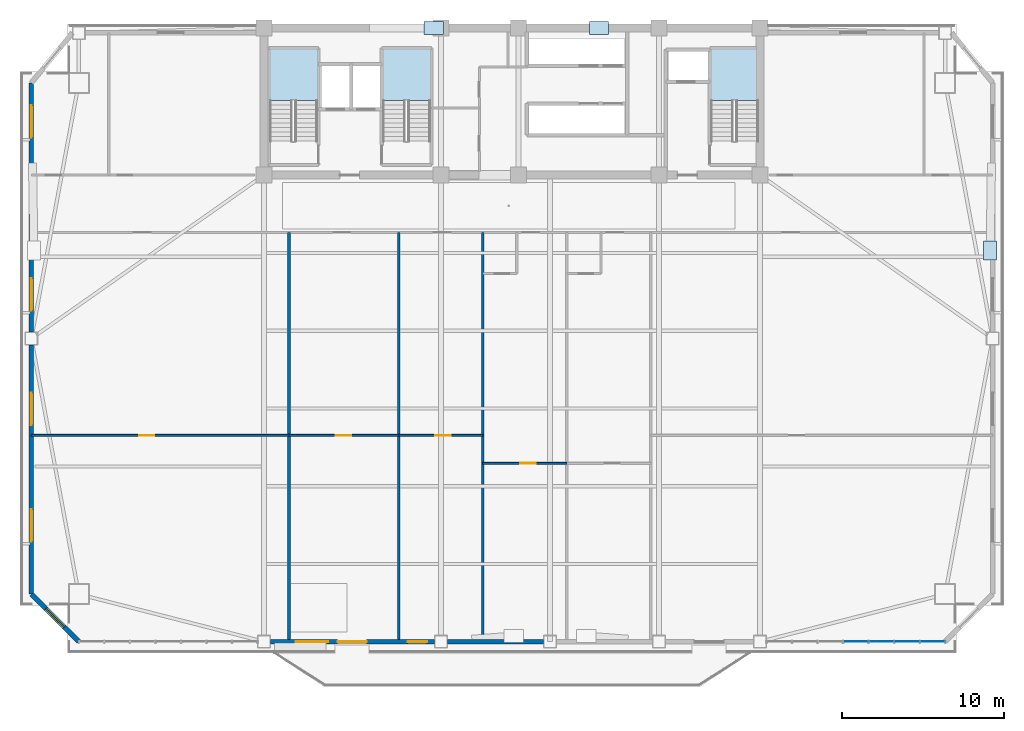
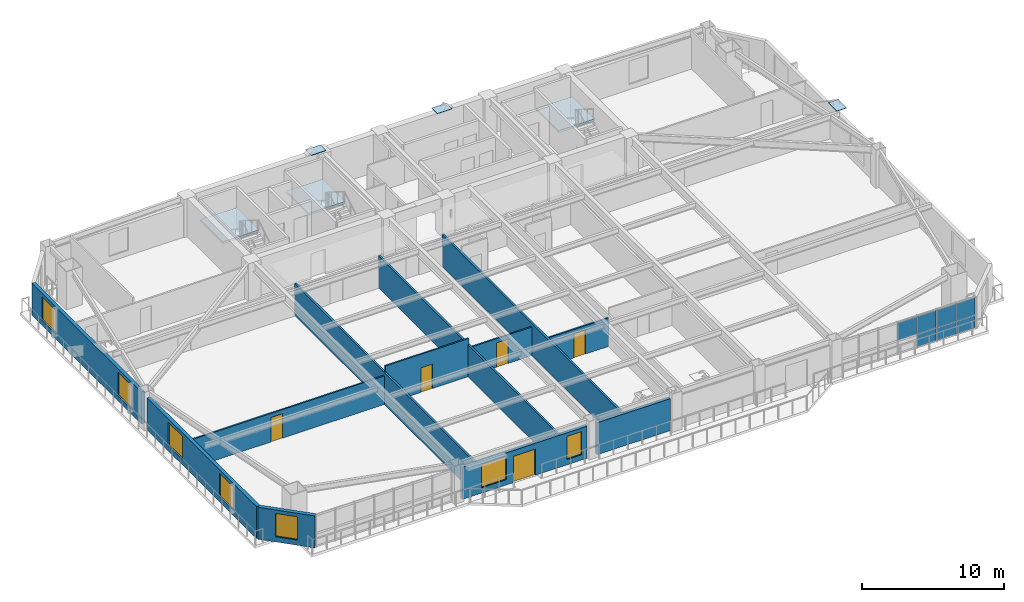
# One storey, part 7 of 15: 12 walls, 10 plates, 7 windows, 5 doors, 3 slabs, 12 openings, 4 elements without a shape of their own.
"""IFC4 building model written with IfcOpenShell, lengths in metres."""

from ifc_helpers import new_model, si_unit, direction, frame, frame_2d, origin, origin_2d, place, context, subcontext, project, spatial, polyline, rectangle, outline, extrude, source, transform, mapped, material, layer, layer_set, type_object, element, fill, aggregate, save


model = new_model("IFC4")

# Units and contexts
model_context = context("Model", 3, precision=1e-05, world=origin(), true_north=direction((0.0, 1.0)))
body_context = subcontext(model_context, "Body", "Model", "MODEL_VIEW")
ifc_project = project(units=[si_unit("LENGTHUNIT", "METRE"), si_unit("AREAUNIT", "SQUARE_METRE"), si_unit("VOLUMEUNIT", "CUBIC_METRE"), si_unit("PLANEANGLEUNIT", "RADIAN"), si_unit("MASSUNIT", "GRAM", prefix="KILO")], contexts=[model_context])

# Site, building, storey
site_placement = place(None, origin())
site = spatial("IfcSite", under=ifc_project, at=site_placement, CompositionType="ELEMENT")
building_placement = place(site_placement, origin())
building = spatial("IfcBuilding", under=site, at=building_placement, Name="Giltprow Tower", CompositionType="ELEMENT")
storey_placement = place(building_placement, frame((0.0, 0.0, 152.699951171875)))
storey = spatial("IfcBuildingStorey", under=building, at=storey_placement, Name="L37", CompositionType="ELEMENT", Elevation=152.699951171875)

# Stair, slab
ifc_material_1 = material(Name="Concrete C40", Category="concrete")
stair_type_1 = type_object("IfcStairType", Name="STR-ST-1", PredefinedType="HALF_TURN_STAIR", material=ifc_material_1)
stair_1_placement = place(storey_placement, origin())
stair_1 = element("IfcStair", 1, at=stair_1_placement, inside=storey, type_object=stair_type_1, Name="L37 Core Exit Stair ST-1", PredefinedType="HALF_TURN_STAIR")
ifc_layer_1 = layer(ifc_material_1, 0.179931640625, Name="Concrete C40")
ifc_layer_set_1 = layer_set([ifc_layer_1], Name="Concrete C40")
slab_type_1 = type_object("IfcSlabType", Name="SLD-ST-1", PredefinedType="LANDING", material=ifc_layer_set_1)
slab_1_placement = place(storey_placement, frame((0.0, 0.0, 1.570068359375)))
slab_1 = element("IfcSlab", 2, at=slab_1_placement, type_object=slab_type_1, Name="ST-1 landing 1", PredefinedType="LANDING", context=body_context, shape_type="SweptSolid", body=[
    extrude(outline(polyline([(23.159912109375, 42.070068359375), (23.159912109375, 45.25), (20.199951171875, 45.25), (20.199951171875, 42.070068359375), (23.159912109375, 42.070068359375)])), origin(), (0.0, 0.0, 1.0), 0.179931640625),
])
aggregate(stair_1, [slab_1])

stair_type_2 = type_object("IfcStairType", Name="STR-ST-2", PredefinedType="HALF_TURN_STAIR", material=ifc_material_1)
stair_2_placement = place(storey_placement, origin())
stair_2 = element("IfcStair", 3, at=stair_2_placement, inside=storey, type_object=stair_type_2, Name="L37 Core Exit Stair ST-2", PredefinedType="HALF_TURN_STAIR")
ifc_layer_2 = layer(ifc_material_1, 0.18798828125, Name="Concrete C40")
ifc_layer_set_2 = layer_set([ifc_layer_2], Name="Concrete C40")
slab_type_2 = type_object("IfcSlabType", Name="SLD-ST-2", PredefinedType="LANDING", material=ifc_layer_set_2)
slab_2_placement = place(storey_placement, frame((0.0, 0.0, 1.56201171875)))
slab_2 = element("IfcSlab", 4, at=slab_2_placement, type_object=slab_type_2, Name="ST-2 landing 1", PredefinedType="LANDING", context=body_context, shape_type="SweptSolid", body=[
    extrude(outline(polyline([(30.159912109375, 42.070068359375), (30.159912109375, 45.25), (27.199951171875, 45.25), (27.199951171875, 42.070068359375), (30.159912109375, 42.070068359375)])), origin(), (0.0, 0.0, 1.0), 0.18798828125),
])
aggregate(stair_2, [slab_2])

stair_type_3 = type_object("IfcStairType", Name="STR-ST-3", PredefinedType="HALF_TURN_STAIR", material=ifc_material_1)
stair_3_placement = place(storey_placement, origin())
stair_3 = element("IfcStair", 5, at=stair_3_placement, inside=storey, type_object=stair_type_3, Name="L37 Core Exit Stair ST-3", PredefinedType="HALF_TURN_STAIR")
ifc_layer_3 = layer(ifc_material_1, 0.196044921875, Name="Concrete C40")
ifc_layer_set_3 = layer_set([ifc_layer_3], Name="Concrete C40")
slab_type_3 = type_object("IfcSlabType", Name="SLD-ST-3", PredefinedType="LANDING", material=ifc_layer_set_3)
slab_3_placement = place(storey_placement, frame((0.0, 0.0, 1.553955078125)))
slab_3 = element("IfcSlab", 6, at=slab_3_placement, type_object=slab_type_3, Name="ST-3 landing 1", PredefinedType="LANDING", context=body_context, shape_type="SweptSolid", body=[
    extrude(outline(polyline([(50.4599609375, 42.070068359375), (50.4599609375, 45.25), (47.5, 45.25), (47.5, 42.070068359375), (50.4599609375, 42.070068359375)])), origin(), (0.0, 0.0, 1.0), 0.196044921875),
])
aggregate(stair_3, [slab_3])

# Plates
ifc_material_2 = material(Name="Structural steel Q420GJC", Category="steel")
plate_type_1 = type_object("IfcPlateType", Name="PLT-CAP-SEAL", PredefinedType="USERDEFINED", material=ifc_material_2)
shared_shape_1 = source(origin(), body_context, "Body", "SweptSolid", [
    extrude(rectangle(XDim=1.199951171875, YDim=0.800048828125, at=origin_2d()), origin(), (0.0, 0.0, 1.0), 0.034912109375),
])
for number, where, z_axis, x_axis, name in (
    (7, (30.35009765625, 46.550048828125, 3.3427734375), (0.0, 0.0, 1.0), (1.0, 0.0, 0.0), "Mega-Brace Node L37-N-LB"),
    (8, (40.5830078125, 46.550048828125, 3.3427734375), (0.0, 0.0, 1.0), (1.0, 0.0, 0.0), "Mega-Brace Node L37-N-RB"),
    (9, (64.7939453125, 32.785888671875, 3.482421875), (0.0, 0.0, 1.0), (0.0, 1.0, 0.0), "Mega-Brace Node L37-E-RB"),
):
    element("IfcPlate", number, at=place(storey_placement, frame(where, z_axis=z_axis, x_axis=x_axis)), inside=storey, type_object=plate_type_1, Name=name, ObjectType="SPLICE", PredefinedType="USERDEFINED", context=body_context, shape_type="MappedRepresentation", body=[
        mapped(shared_shape_1, transform((0.0, 0.0, 0.0), x_axis=(1.0, 0.0, 0.0), y_axis=(0.0, 1.0, 0.0), z_axis=(0.0, 0.0, 1.0), scale=1.0)),
    ])

# Curtain wall, plates
ifc_material_3 = material(Name="Anodized bronze", Category="metal")
ifc_layer_4 = layer(ifc_material_3, 0.179931640625, Name="Anodized bronze")
ifc_layer_set_4 = layer_set([ifc_layer_4], Name="Anodized bronze")
curtain_wall_type = type_object("IfcCurtainWallType", Name="CW-HTL-BRONZE", PredefinedType="NOTDEFINED", material=ifc_layer_set_4)
curtain_wall_placement = place(storey_placement, origin())
curtain_wall = element("IfcCurtainWall", 10, at=curtain_wall_placement, inside=storey, type_object=curtain_wall_type, Name="L37 South Recessed Curtain Wall 6", PredefinedType="NOTDEFINED")
ifc_material_4 = material(Name="Insulated glass", Category="glass")
plate_type_2 = type_object("IfcPlateType", Name="CW-PANEL-IGU-28", PredefinedType="CURTAIN_PANEL", material=ifc_material_4)
shared_shape_2 = source(origin(), body_context, "Body", "SweptSolid", [
    extrude(rectangle(XDim=1.550048828125, YDim=0.028076171875, at=origin_2d()), origin(), (0.0, 0.0, 1.0), 1.0869140625),
])
plate_1_placement = place(storey_placement, frame((58.06103515625, 8.572021484375, 0.0546875), z_axis=(0.0, 0.0, 1.0), x_axis=(1.0, 0.0, 0.0)))
plate_1 = element("IfcPlate", 11, at=plate_1_placement, type_object=plate_type_2, Name="L37 South Recessed Curtain Wall 6 Glazing Panel 5-1", PredefinedType="CURTAIN_PANEL", context=body_context, shape_type="MappedRepresentation", body=[
    mapped(shared_shape_2, transform((0.0, 0.0, 0.0), x_axis=(1.0, 0.0, 0.0), y_axis=(0.0, 1.0, 0.0), z_axis=(0.0, 0.0, 1.0), scale=1.0)),
])
plate_2_placement = place(storey_placement, frame((59.64208984375, 8.572021484375, 0.0546875), z_axis=(0.0, 0.0, 1.0), x_axis=(1.0, 0.0, 0.0)))
plate_2 = element("IfcPlate", 12, at=plate_2_placement, type_object=plate_type_2, Name="L37 South Recessed Curtain Wall 6 Glazing Panel 6-1", PredefinedType="CURTAIN_PANEL", context=body_context, shape_type="MappedRepresentation", body=[
    mapped(shared_shape_2, transform((0.0, 0.0, 0.0), x_axis=(1.0, 0.0, 0.0), y_axis=(0.0, 1.0, 0.0), z_axis=(0.0, 0.0, 1.0), scale=1.0)),
])
plate_3_placement = place(storey_placement, frame((61.221923828125, 8.572021484375, 0.0546875), z_axis=(0.0, 0.0, 1.0), x_axis=(1.0, 0.0, 0.0)))
plate_3 = element("IfcPlate", 13, at=plate_3_placement, type_object=plate_type_2, Name="L37 South Recessed Curtain Wall 6 Glazing Panel 7-1", PredefinedType="CURTAIN_PANEL", context=body_context, shape_type="MappedRepresentation", body=[
    mapped(shared_shape_2, transform((0.0, 0.0, 0.0), x_axis=(1.0, 0.0, 0.0), y_axis=(0.0, 1.0, 0.0), z_axis=(0.0, 0.0, 1.0), scale=1.0)),
])
shared_shape_3 = source(origin(), body_context, "Body", "SweptSolid", [
    extrude(rectangle(XDim=1.550048828125, YDim=0.028076171875, at=origin_2d()), origin(), (0.0, 0.0, 1.0), 1.527099609375),
])
plate_4_placement = place(storey_placement, frame((56.48095703125, 8.572021484375, 1.16845703125), z_axis=(0.0, 0.0, 1.0), x_axis=(1.0, 0.0, 0.0)))
plate_4 = element("IfcPlate", 14, at=plate_4_placement, type_object=plate_type_2, Name="L37 South Recessed Curtain Wall 6 Glazing Panel 4-2", PredefinedType="CURTAIN_PANEL", context=body_context, shape_type="MappedRepresentation", body=[
    mapped(shared_shape_3, transform((0.0, 0.0, 0.0), x_axis=(1.0, 0.0, 0.0), y_axis=(0.0, 1.0, 0.0), z_axis=(0.0, 0.0, 1.0), scale=1.0)),
])
plate_5_placement = place(storey_placement, frame((58.06103515625, 8.572021484375, 1.16845703125), z_axis=(0.0, 0.0, 1.0), x_axis=(1.0, 0.0, 0.0)))
plate_5 = element("IfcPlate", 15, at=plate_5_placement, type_object=plate_type_2, Name="L37 South Recessed Curtain Wall 6 Glazing Panel 5-2", PredefinedType="CURTAIN_PANEL", context=body_context, shape_type="MappedRepresentation", body=[
    mapped(shared_shape_3, transform((0.0, 0.0, 0.0), x_axis=(1.0, 0.0, 0.0), y_axis=(0.0, 1.0, 0.0), z_axis=(0.0, 0.0, 1.0), scale=1.0)),
])
plate_6_placement = place(storey_placement, frame((59.64208984375, 8.572021484375, 1.16845703125), z_axis=(0.0, 0.0, 1.0), x_axis=(1.0, 0.0, 0.0)))
plate_6 = element("IfcPlate", 16, at=plate_6_placement, type_object=plate_type_2, Name="L37 South Recessed Curtain Wall 6 Glazing Panel 6-2", PredefinedType="CURTAIN_PANEL", context=body_context, shape_type="MappedRepresentation", body=[
    mapped(shared_shape_3, transform((0.0, 0.0, 0.0), x_axis=(1.0, 0.0, 0.0), y_axis=(0.0, 1.0, 0.0), z_axis=(0.0, 0.0, 1.0), scale=1.0)),
])
plate_7_placement = place(storey_placement, frame((61.221923828125, 8.572021484375, 1.16845703125), z_axis=(0.0, 0.0, 1.0), x_axis=(1.0, 0.0, 0.0)))
plate_7 = element("IfcPlate", 17, at=plate_7_placement, type_object=plate_type_2, Name="L37 South Recessed Curtain Wall 6 Glazing Panel 7-2", PredefinedType="CURTAIN_PANEL", context=body_context, shape_type="MappedRepresentation", body=[
    mapped(shared_shape_3, transform((0.0, 0.0, 0.0), x_axis=(1.0, 0.0, 0.0), y_axis=(0.0, 1.0, 0.0), z_axis=(0.0, 0.0, 1.0), scale=1.0)),
])
aggregate(curtain_wall, [plate_4, plate_1, plate_5, plate_2, plate_6, plate_3, plate_7])

# Wall, opening, window
ifc_material_5 = material(Name="Precast concrete C40", Category="concrete")
ifc_layer_5 = layer(ifc_material_5, 0.300048828125, Name="Precast concrete C40")
ifc_layer_set_5 = layer_set([ifc_layer_5], Name="Precast concrete C40")
wall_type_1 = type_object("IfcWallType", Name="EW-NOTCH-CHAMFER-300", PredefinedType="SOLIDWALL", material=ifc_layer_set_5)
wall_1_placement = place(storey_placement, frame((5.448974609375, 11.510986328125, 0.0), z_axis=(0.0, 0.0, 1.0), x_axis=(0.707106781187, -0.707106781187, 0.0)))
wall_1 = element("IfcWall", 18, at=wall_1_placement, inside=storey, type_object=wall_type_1, Name="L37 Corner Notch Wall SW", PredefinedType="SOLIDWALL", context=body_context, shape_type="SweptSolid", body=[
    extrude(rectangle(XDim=4.15625, YDim=0.300048828125, at=frame_2d((2.078125, 0.0))), origin(), (0.0, 0.0, 1.0), 2.75),
])
opening_1_placement = place(wall_1_placement, frame((1.278076171875, 0.0, 0.449951171875)))
opening_1 = element("IfcOpeningElement", 19, at=opening_1_placement, cuts=wall_1, Name="Opening WN17", PredefinedType="OPENING", context=body_context, shape_type="SweptSolid", body=[
    extrude(rectangle(XDim=1.60009765625, YDim=2.0, at=frame_2d((0.800048828125, 1.0))), frame((0.0, 0.159912109375, 0.0), z_axis=(0.0, -1.0, 0.0), x_axis=(1.0, 0.0, 0.0)), (0.0, 0.0, 1.0), 0.320068359375),
])
window_type_1 = type_object("IfcWindowType", Name="WN-COR-1600x2000", PartitioningType="SINGLE_PANEL", PredefinedType="WINDOW", material=ifc_material_4)
shared_shape_4 = source(origin(), body_context, "Body", "SweptSolid", [
    extrude(rectangle(XDim=1.60009765625, YDim=2.0, at=frame_2d((0.800048828125, 1.0))), frame((0.0, 0.030029296875, 0.0), z_axis=(0.0, -1.0, 0.0), x_axis=(1.0, 0.0, 0.0)), (0.0, 0.0, 1.0), 0.06005859375),
])
window_1_placement = place(opening_1_placement, origin())
window_1 = element("IfcWindow", 20, at=window_1_placement, inside=storey, type_object=window_type_1, Name="L37 Corner Notch Window SW", OverallHeight=2.0, OverallWidth=1.60009765625, PartitioningType="SINGLE_PANEL", PredefinedType="WINDOW", context=body_context, shape_type="MappedRepresentation", body=[
    mapped(shared_shape_4, transform((0.0, 0.0, 0.0), x_axis=(1.0, 0.0, 0.0), y_axis=(0.0, 1.0, 0.0), z_axis=(0.0, 0.0, 1.0), scale=1.0)),
])
fill(opening_1, window_1)

# Wall, openings, door, windows
ifc_layer_6 = layer(ifc_material_5, 0.280029296875, Name="Precast concrete C40")
ifc_layer_set_6 = layer_set([ifc_layer_6], Name="Precast concrete C40")
wall_type_2 = type_object("IfcWallType", Name="EW-TOW-BRONZE-280", PredefinedType="SOLIDWALL", material=ifc_layer_set_6)
wall_2_placement = place(storey_placement, frame((20.25, 8.572021484375, 0.0), z_axis=(0.0, 0.0, 1.0), x_axis=(1.0, 0.0, 0.0)))
wall_2 = element("IfcWall", 21, at=wall_2_placement, inside=storey, type_object=wall_type_2, Name="L37 South Expressed Frame Wall 2", PredefinedType="SOLIDWALL", context=body_context, shape_type="SweptSolid", body=[
    extrude(rectangle(XDim=10.14990234375, YDim=0.280029296875, at=frame_2d((5.074951171875, 0.0))), origin(), (0.0, 0.0, 1.0), 2.75),
])
opening_2_placement = place(wall_2_placement, frame((4.14990234375, 0.0, 0.0)))
opening_2 = element("IfcOpeningElement", 22, at=opening_2_placement, cuts=wall_2, Name="Opening ED25", PredefinedType="OPENING", context=body_context, shape_type="SweptSolid", body=[
    extrude(rectangle(XDim=1.800048828125, YDim=2.25, at=frame_2d((0.89990234375, 1.125))), frame((0.0, 0.14990234375, 0.0), z_axis=(0.0, -1.0, 0.0), x_axis=(1.0, 0.0, 0.0)), (0.0, 0.0, 1.0), 0.300048828125),
])
opening_3_placement = place(wall_2_placement, frame((1.570068359375, 0.0, 0.449951171875)))
opening_3 = element("IfcOpeningElement", 23, at=opening_3_placement, cuts=wall_2, Name="Opening WN21", PredefinedType="OPENING", context=body_context, shape_type="SweptSolid", body=[
    extrude(rectangle(XDim=2.0, YDim=2.0, at=frame_2d((1.0, 1.0))), frame((0.0, 0.14990234375, 0.0), z_axis=(0.0, -1.0, 0.0), x_axis=(1.0, 0.0, 0.0)), (0.0, 0.0, 1.0), 0.300048828125),
])
opening_4_placement = place(wall_2_placement, frame((8.4951171875, 0.0, 0.449951171875)))
opening_4 = element("IfcOpeningElement", 24, at=opening_4_placement, cuts=wall_2, Name="Opening WN11", PredefinedType="OPENING", context=body_context, shape_type="SweptSolid", body=[
    extrude(rectangle(XDim=1.199951171875, YDim=2.0, at=frame_2d((0.60009765625, 1.0))), frame((0.0, 0.14990234375, 0.0), z_axis=(0.0, -1.0, 0.0), x_axis=(1.0, 0.0, 0.0)), (0.0, 0.0, 1.0), 0.300048828125),
])
ifc_material_6 = material(Name="Anodized bronze and glass", Category="glass")
door_type_1 = type_object("IfcDoorType", Name="DR-BALC-SLIDE-1800", OperationType="SLIDING_TO_LEFT", PredefinedType="DOOR", material=ifc_material_6)
shared_shape_5 = source(origin(), body_context, "Body", "SweptSolid", [
    extrude(rectangle(XDim=1.800048828125, YDim=2.25, at=frame_2d((0.89990234375, 1.125))), frame((0.0, 0.02490234375, 0.0), z_axis=(0.0, -1.0, 0.0), x_axis=(1.0, 0.0, 0.0)), (0.0, 0.0, 1.0), 0.050048828125),
])
door_1_placement = place(opening_2_placement, origin())
door_1 = element("IfcDoor", 25, at=door_1_placement, inside=storey, type_object=door_type_1, Name="L37 Waterfront Balcony Sliding Door 1", OperationType="SLIDING_TO_LEFT", OverallHeight=2.25, OverallWidth=1.800048828125, PredefinedType="DOOR", context=body_context, shape_type="MappedRepresentation", body=[
    mapped(shared_shape_5, transform((0.0, 0.0, 0.0), x_axis=(1.0, 0.0, 0.0), y_axis=(0.0, 1.0, 0.0), z_axis=(0.0, 0.0, 1.0), scale=1.0)),
])
fill(opening_2, door_1)
window_type_2 = type_object("IfcWindowType", Name="WN-LANCET-1200x2000", PartitioningType="SINGLE_PANEL", PredefinedType="WINDOW", material=ifc_material_4)
shared_shape_6 = source(origin(), body_context, "Body", "SweptSolid", [
    extrude(rectangle(XDim=1.199951171875, YDim=2.0, at=frame_2d((0.60009765625, 1.0))), frame((0.0, 0.030029296875, 0.0), z_axis=(0.0, -1.0, 0.0), x_axis=(1.0, 0.0, 0.0)), (0.0, 0.0, 1.0), 0.06005859375),
])
window_2_placement = place(opening_4_placement, origin())
window_2 = element("IfcWindow", 26, at=window_2_placement, inside=storey, type_object=window_type_2, Name="L37 South Window 2B", OverallHeight=2.0, OverallWidth=1.199951171875, PartitioningType="SINGLE_PANEL", PredefinedType="WINDOW", context=body_context, shape_type="MappedRepresentation", body=[
    mapped(shared_shape_6, transform((0.0, 0.0, 0.0), x_axis=(1.0, 0.0, 0.0), y_axis=(0.0, 1.0, 0.0), z_axis=(0.0, 0.0, 1.0), scale=1.0)),
])
fill(opening_4, window_2)
window_type_3 = type_object("IfcWindowType", Name="WN-HTL-2000x2000", PartitioningType="DOUBLE_PANEL_VERTICAL", PredefinedType="WINDOW", material=ifc_material_4)
shared_shape_7 = source(origin(), body_context, "Body", "SweptSolid", [
    extrude(rectangle(XDim=2.0, YDim=2.0, at=frame_2d((1.0, 1.0))), frame((0.0, 0.030029296875, 0.0), z_axis=(0.0, -1.0, 0.0), x_axis=(1.0, 0.0, 0.0)), (0.0, 0.0, 1.0), 0.06005859375),
])
window_3_placement = place(opening_3_placement, origin())
window_3 = element("IfcWindow", 27, at=window_3_placement, inside=storey, type_object=window_type_3, Name="L37 South Window 2A", OverallHeight=2.0, OverallWidth=2.0, PartitioningType="SINGLE_PANEL", PredefinedType="WINDOW", context=body_context, shape_type="MappedRepresentation", body=[
    mapped(shared_shape_7, transform((0.0, 0.0, 0.0), x_axis=(1.0, 0.0, 0.0), y_axis=(0.0, 1.0, 0.0), z_axis=(0.0, 0.0, 1.0), scale=1.0)),
])
fill(opening_3, window_3)

# Wall
wall_3_placement = place(storey_placement, frame((31.199951171875, 8.572021484375, 0.0), z_axis=(0.0, 0.0, 1.0), x_axis=(1.0, 0.0, 0.0)))
element("IfcWall", 28, at=wall_3_placement, inside=storey, type_object=wall_type_2, Name="L37 South Expressed Frame Wall 3", PredefinedType="SOLIDWALL", context=body_context, shape_type="SweptSolid", body=[
    extrude(rectangle(XDim=5.949951171875, YDim=0.280029296875, at=frame_2d((2.97509765625, 0.0))), origin(), (0.0, 0.0, 1.0), 2.75),
])

# Wall, openings, windows
wall_4_placement = place(storey_placement, frame((5.448974609375, 11.510986328125, 0.0), z_axis=(0.0, 0.0, 1.0), x_axis=(0.0, 1.0, 0.0)))
wall_4 = element("IfcWall", 29, at=wall_4_placement, inside=storey, type_object=wall_type_2, Name="L37 W Wing Masonry Wall 1", PredefinedType="SOLIDWALL", context=body_context, shape_type="SweptSolid", body=[
    extrude(rectangle(XDim=15.425048828125, YDim=0.280029296875, at=frame_2d((7.71240234375, 0.0))), origin(), (0.0, 0.0, 1.0), 2.75),
])
opening_5_placement = place(wall_4_placement, frame((3.2509765625, 0.0, 0.449951171875)))
opening_5 = element("IfcOpeningElement", 30, at=opening_5_placement, cuts=wall_4, Name="Opening WN21", PredefinedType="OPENING", context=body_context, shape_type="SweptSolid", body=[
    extrude(rectangle(XDim=2.0, YDim=2.0, at=frame_2d((1.0, 1.0))), frame((0.0, 0.14990234375, 0.0), z_axis=(0.0, -1.0, 0.0), x_axis=(1.0, 0.0, 0.0)), (0.0, 0.0, 1.0), 0.300048828125),
])
opening_6_placement = place(wall_4_placement, frame((10.462890625, 0.0, 0.449951171875)))
opening_6 = element("IfcOpeningElement", 31, at=opening_6_placement, cuts=wall_4, Name="Opening WN21", PredefinedType="OPENING", context=body_context, shape_type="SweptSolid", body=[
    extrude(rectangle(XDim=2.0, YDim=2.0, at=frame_2d((1.0, 1.0))), frame((0.0, 0.14990234375, 0.0), z_axis=(0.0, -1.0, 0.0), x_axis=(1.0, 0.0, 0.0)), (0.0, 0.0, 1.0), 0.300048828125),
])
window_4_placement = place(opening_5_placement, origin())
window_4 = element("IfcWindow", 32, at=window_4_placement, inside=storey, type_object=window_type_3, Name="L37 W Wing Window 1-1A", OverallHeight=2.0, OverallWidth=2.0, PartitioningType="SINGLE_PANEL", PredefinedType="WINDOW", context=body_context, shape_type="MappedRepresentation", body=[
    mapped(shared_shape_7, transform((0.0, 0.0, 0.0), x_axis=(1.0, 0.0, 0.0), y_axis=(0.0, 1.0, 0.0), z_axis=(0.0, 0.0, 1.0), scale=1.0)),
])
fill(opening_5, window_4)
window_5_placement = place(opening_6_placement, origin())
window_5 = element("IfcWindow", 33, at=window_5_placement, inside=storey, type_object=window_type_3, Name="L37 W Wing Window 1-1B", OverallHeight=2.0, OverallWidth=2.0, PartitioningType="SINGLE_PANEL", PredefinedType="WINDOW", context=body_context, shape_type="MappedRepresentation", body=[
    mapped(shared_shape_7, transform((0.0, 0.0, 0.0), x_axis=(1.0, 0.0, 0.0), y_axis=(0.0, 1.0, 0.0), z_axis=(0.0, 0.0, 1.0), scale=1.0)),
])
fill(opening_6, window_5)

wall_5_placement = place(storey_placement, frame((5.448974609375, 27.736083984375, 0.0), z_axis=(0.0, 0.0, 1.0), x_axis=(0.0, 1.0, 0.0)))
wall_5 = element("IfcWall", 34, at=wall_5_placement, inside=storey, type_object=wall_type_2, Name="L37 W Wing Masonry Wall 2", PredefinedType="SOLIDWALL", context=body_context, shape_type="SweptSolid", body=[
    extrude(rectangle(XDim=15.4248046875, YDim=0.280029296875, at=frame_2d((7.71240234375, 0.0))), origin(), (0.0, 0.0, 1.0), 2.75),
])
opening_7_placement = place(wall_5_placement, frame((1.324951171875, 0.0, 0.449951171875)))
opening_7 = element("IfcOpeningElement", 35, at=opening_7_placement, cuts=wall_5, Name="Opening WN21", PredefinedType="OPENING", context=body_context, shape_type="SweptSolid", body=[
    extrude(rectangle(XDim=2.0, YDim=2.0, at=frame_2d((1.0, 1.0))), frame((0.0, 0.14990234375, 0.0), z_axis=(0.0, -1.0, 0.0), x_axis=(1.0, 0.0, 0.0)), (0.0, 0.0, 1.0), 0.300048828125),
])
opening_8_placement = place(wall_5_placement, frame((12.031005859375, 0.0, 0.449951171875)))
opening_8 = element("IfcOpeningElement", 36, at=opening_8_placement, cuts=wall_5, Name="Opening WN21", PredefinedType="OPENING", context=body_context, shape_type="SweptSolid", body=[
    extrude(rectangle(XDim=2.0, YDim=2.0, at=frame_2d((1.0, 1.0))), frame((0.0, 0.14990234375, 0.0), z_axis=(0.0, -1.0, 0.0), x_axis=(1.0, 0.0, 0.0)), (0.0, 0.0, 1.0), 0.300048828125),
])
window_6_placement = place(opening_7_placement, origin())
window_6 = element("IfcWindow", 37, at=window_6_placement, inside=storey, type_object=window_type_3, Name="L37 W Wing Window 2-1", OverallHeight=2.0, OverallWidth=2.0, PartitioningType="SINGLE_PANEL", PredefinedType="WINDOW", context=body_context, shape_type="MappedRepresentation", body=[
    mapped(shared_shape_7, transform((0.0, 0.0, 0.0), x_axis=(1.0, 0.0, 0.0), y_axis=(0.0, 1.0, 0.0), z_axis=(0.0, 0.0, 1.0), scale=1.0)),
])
fill(opening_7, window_6)
window_7_placement = place(opening_8_placement, origin())
window_7 = element("IfcWindow", 38, at=window_7_placement, inside=storey, type_object=window_type_3, Name="L37 W Wing Window 2-2", OverallHeight=2.0, OverallWidth=2.0, PartitioningType="SINGLE_PANEL", PredefinedType="WINDOW", context=body_context, shape_type="MappedRepresentation", body=[
    mapped(shared_shape_7, transform((0.0, 0.0, 0.0), x_axis=(1.0, 0.0, 0.0), y_axis=(0.0, 1.0, 0.0), z_axis=(0.0, 0.0, 1.0), scale=1.0)),
])
fill(opening_8, window_7)

# Walls
ifc_material_7 = material(Name="Gypsum stud partition", Category="gypsum")
ifc_layer_7 = layer(ifc_material_7, 0.159912109375, Name="Gypsum stud partition")
ifc_layer_set_7 = layer_set([ifc_layer_7], Name="Gypsum stud partition")
wall_type_3 = type_object("IfcWallType", Name="IW-DEMISE-160", PredefinedType="PARTITIONING", material=ifc_layer_set_7)
for number, where, z_axis, x_axis, name in (
    (39, (21.39990234375, 8.572021484375, 0.0), (0.0, 0.0, 1.0), (0.0, 1.0, 0.0), "L37 Hotel Demising Wall 1"),
    (40, (28.199951171875, 8.572021484375, 0.0), (0.0, 0.0, 1.0), (0.0, 1.0, 0.0), "L37 Hotel Demising Wall 2"),
    (41, (33.39990234375, 8.572021484375, 0.0), (0.0, 0.0, 1.0), (0.0, 1.0, 0.0), "L37 Hotel Demising Wall 3"),
):
    element("IfcWall", number, at=place(storey_placement, frame(where, z_axis=z_axis, x_axis=x_axis)), inside=storey, type_object=wall_type_3, Name=name, PredefinedType="PARTITIONING", context=body_context, shape_type="SweptSolid", body=[
        extrude(rectangle(XDim=25.327880859375, YDim=0.159912109375, at=frame_2d((12.6640625, 0.0))), origin(), (0.0, 0.0, 1.0), 2.755126953125),
    ])

# Wall, opening, door
ifc_layer_8 = layer(ifc_material_7, 0.1201171875, Name="Gypsum stud partition")
ifc_layer_set_8 = layer_set([ifc_layer_8], Name="Gypsum stud partition")
wall_type_4 = type_object("IfcWallType", Name="IW-ROOM-120", PredefinedType="PARTITIONING", material=ifc_layer_set_8)
wall_6_placement = place(storey_placement, frame((5.448974609375, 21.3359375, 0.0), z_axis=(0.0, 0.0, 1.0), x_axis=(1.0, 0.0, 0.0)))
wall_6 = element("IfcWall", 42, at=wall_6_placement, inside=storey, type_object=wall_type_4, Name="L37 Amenity Mid Wall 1", PredefinedType="PARTITIONING", context=body_context, shape_type="SweptSolid", body=[
    extrude(rectangle(XDim=15.950927734375, YDim=0.1201171875, at=frame_2d((7.9755859375, 0.0))), origin(), (0.0, 0.0, 1.0), 2.455078125),
])
opening_9_placement = place(wall_6_placement, frame((6.666015625, 0.0, 0.0)))
opening_9 = element("IfcOpeningElement", 43, at=opening_9_placement, cuts=wall_6, Name="Opening ID11", PredefinedType="OPENING", context=body_context, shape_type="SweptSolid", body=[
    extrude(rectangle(XDim=0.949951171875, YDim=2.10009765625, at=frame_2d((0.47509765625, 1.050048828125))), frame((0.0, 0.070068359375, 0.0), z_axis=(0.0, -1.0, 0.0), x_axis=(1.0, 0.0, 0.0)), (0.0, 0.0, 1.0), 0.14013671875),
])
ifc_material_8 = material(Name="Engineered timber", Category="wood")
door_type_2 = type_object("IfcDoorType", Name="DR-ROOM-950", OperationType="SINGLE_SWING_RIGHT", PredefinedType="DOOR", material=ifc_material_8)
shared_shape_8 = source(origin(), body_context, "Body", "SweptSolid", [
    extrude(rectangle(XDim=0.949951171875, YDim=2.10009765625, at=frame_2d((0.47509765625, 1.050048828125))), frame((0.0, 0.02490234375, 0.0), z_axis=(0.0, -1.0, 0.0), x_axis=(1.0, 0.0, 0.0)), (0.0, 0.0, 1.0), 0.050048828125),
])
door_2_placement = place(opening_9_placement, origin())
door_2 = element("IfcDoor", 44, at=door_2_placement, inside=storey, type_object=door_type_2, Name="L37 Hotel Management Office 1 Inner Door", OperationType="SINGLE_SWING_LEFT", OverallHeight=2.10009765625, OverallWidth=0.949951171875, PredefinedType="DOOR", context=body_context, shape_type="MappedRepresentation", body=[
    mapped(shared_shape_8, transform((0.0, 0.0, 0.0), x_axis=(1.0, 0.0, 0.0), y_axis=(0.0, 1.0, 0.0), z_axis=(0.0, 0.0, 1.0), scale=1.0)),
])
fill(opening_9, door_2)

wall_7_placement = place(storey_placement, frame((21.39990234375, 21.3359375, 0.0), z_axis=(0.0, 0.0, 1.0), x_axis=(1.0, 0.0, 0.0)))
wall_7 = element("IfcWall", 45, at=wall_7_placement, inside=storey, type_object=wall_type_4, Name="L37 Amenity Mid Wall 2", PredefinedType="PARTITIONING", context=body_context, shape_type="SweptSolid", body=[
    extrude(rectangle(XDim=6.800048828125, YDim=0.1201171875, at=frame_2d((3.39990234375, 0.0))), origin(), (0.0, 0.0, 1.0), 3.27001953125),
])
opening_10_placement = place(wall_7_placement, frame((2.885986328125, 0.0, 0.0)))
opening_10 = element("IfcOpeningElement", 46, at=opening_10_placement, cuts=wall_7, Name="Opening ID11", PredefinedType="OPENING", context=body_context, shape_type="SweptSolid", body=[
    extrude(rectangle(XDim=0.949951171875, YDim=2.10009765625, at=frame_2d((0.47509765625, 1.050048828125))), frame((0.0, 0.070068359375, 0.0), z_axis=(0.0, -1.0, 0.0), x_axis=(1.0, 0.0, 0.0)), (0.0, 0.0, 1.0), 0.14013671875),
])
door_3_placement = place(opening_10_placement, origin())
door_3 = element("IfcDoor", 47, at=door_3_placement, inside=storey, type_object=door_type_2, Name="L37 Events Sales Office 2 Inner Door", OperationType="SINGLE_SWING_LEFT", OverallHeight=2.10009765625, OverallWidth=0.949951171875, PredefinedType="DOOR", context=body_context, shape_type="MappedRepresentation", body=[
    mapped(shared_shape_8, transform((0.0, 0.0, 0.0), x_axis=(1.0, 0.0, 0.0), y_axis=(0.0, 1.0, 0.0), z_axis=(0.0, 0.0, 1.0), scale=1.0)),
])
fill(opening_10, door_3)

wall_8_placement = place(storey_placement, frame((28.199951171875, 21.3359375, 0.0), z_axis=(0.0, 0.0, 1.0), x_axis=(1.0, 0.0, 0.0)))
wall_8 = element("IfcWall", 48, at=wall_8_placement, inside=storey, type_object=wall_type_4, Name="L37 Amenity Mid Wall 3", PredefinedType="PARTITIONING", context=body_context, shape_type="SweptSolid", body=[
    extrude(rectangle(XDim=5.199951171875, YDim=0.1201171875, at=frame_2d((2.60009765625, 0.0))), origin(), (0.0, 0.0, 1.0), 2.455078125),
])
opening_11_placement = place(wall_8_placement, frame((2.24609375, 0.0, 0.0)))
opening_11 = element("IfcOpeningElement", 49, at=opening_11_placement, cuts=wall_8, Name="Opening ID11", PredefinedType="OPENING", context=body_context, shape_type="SweptSolid", body=[
    extrude(rectangle(XDim=0.949951171875, YDim=2.10009765625, at=frame_2d((0.47509765625, 1.050048828125))), frame((0.0, 0.070068359375, 0.0), z_axis=(0.0, -1.0, 0.0), x_axis=(1.0, 0.0, 0.0)), (0.0, 0.0, 1.0), 0.14013671875),
])
door_4_placement = place(opening_11_placement, origin())
door_4 = element("IfcDoor", 50, at=door_4_placement, inside=storey, type_object=door_type_2, Name="L37 Concierge Admin Office 3 Inner Door", OperationType="SINGLE_SWING_LEFT", OverallHeight=2.10009765625, OverallWidth=0.949951171875, PredefinedType="DOOR", context=body_context, shape_type="MappedRepresentation", body=[
    mapped(shared_shape_8, transform((0.0, 0.0, 0.0), x_axis=(1.0, 0.0, 0.0), y_axis=(0.0, 1.0, 0.0), z_axis=(0.0, 0.0, 1.0), scale=1.0)),
])
fill(opening_11, door_4)

wall_9_placement = place(storey_placement, frame((33.39990234375, 19.60888671875, 0.0), z_axis=(0.0, 0.0, 1.0), x_axis=(1.0, 0.0, 0.0)))
wall_9 = element("IfcWall", 51, at=wall_9_placement, inside=storey, type_object=wall_type_4, Name="L37 Suite Parlour Divider 4", PredefinedType="PARTITIONING", context=body_context, shape_type="SweptSolid", body=[
    extrude(rectangle(XDim=5.2001953125, YDim=0.1201171875, at=frame_2d((2.60009765625, 0.0))), origin(), (0.0, 0.0, 1.0), 2.455078125),
])
opening_12_placement = place(wall_9_placement, frame((2.324951171875, 0.0, 0.0)))
opening_12 = element("IfcOpeningElement", 52, at=opening_12_placement, cuts=wall_9, Name="Opening ID11", PredefinedType="OPENING", context=body_context, shape_type="SweptSolid", body=[
    extrude(rectangle(XDim=0.949951171875, YDim=2.10009765625, at=frame_2d((0.47509765625, 1.050048828125))), frame((0.0, 0.070068359375, 0.0), z_axis=(0.0, -1.0, 0.0), x_axis=(1.0, 0.0, 0.0)), (0.0, 0.0, 1.0), 0.14013671875),
])
door_5_placement = place(opening_12_placement, origin())
door_5 = element("IfcDoor", 53, at=door_5_placement, inside=storey, type_object=door_type_2, Name="L37 Harbour Parlour 4 Door", OperationType="SINGLE_SWING_RIGHT", OverallHeight=2.10009765625, OverallWidth=0.949951171875, PredefinedType="DOOR", context=body_context, shape_type="MappedRepresentation", body=[
    mapped(shared_shape_8, transform((0.0, 0.0, 0.0), x_axis=(1.0, 0.0, 0.0), y_axis=(0.0, 1.0, 0.0), z_axis=(0.0, 0.0, 1.0), scale=1.0)),
])
fill(opening_12, door_5)

save(model, "model.ifc")
